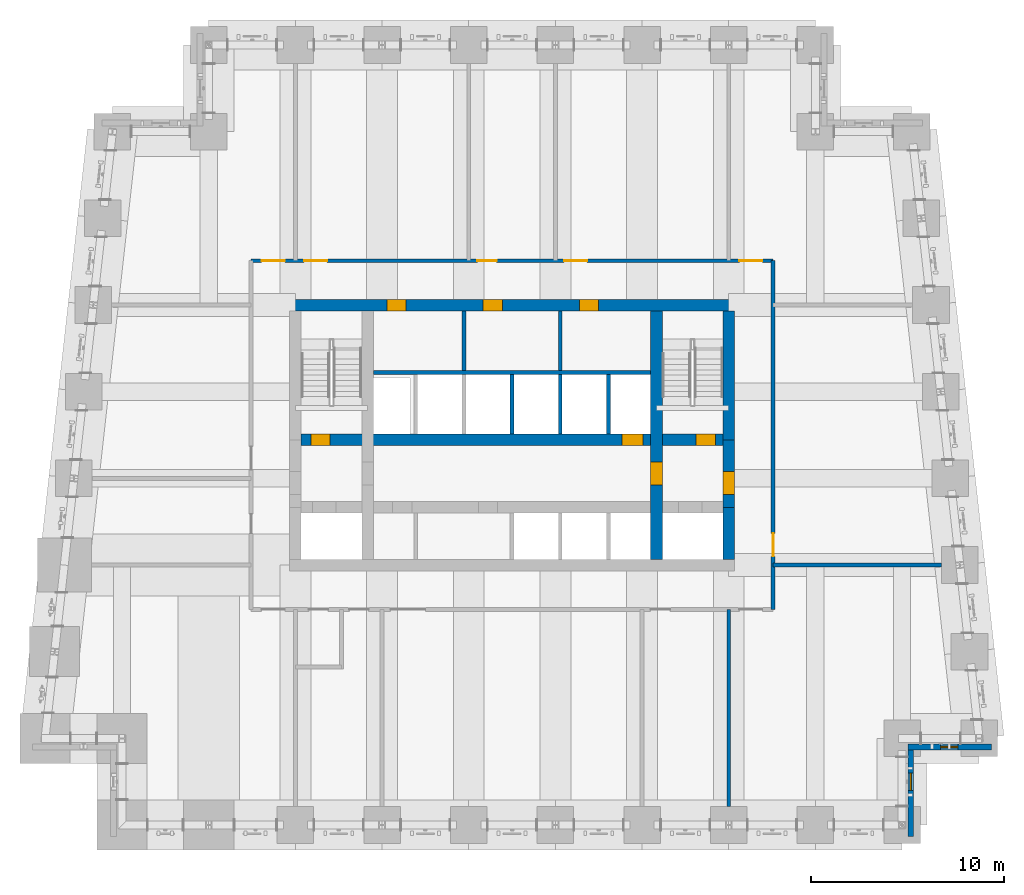
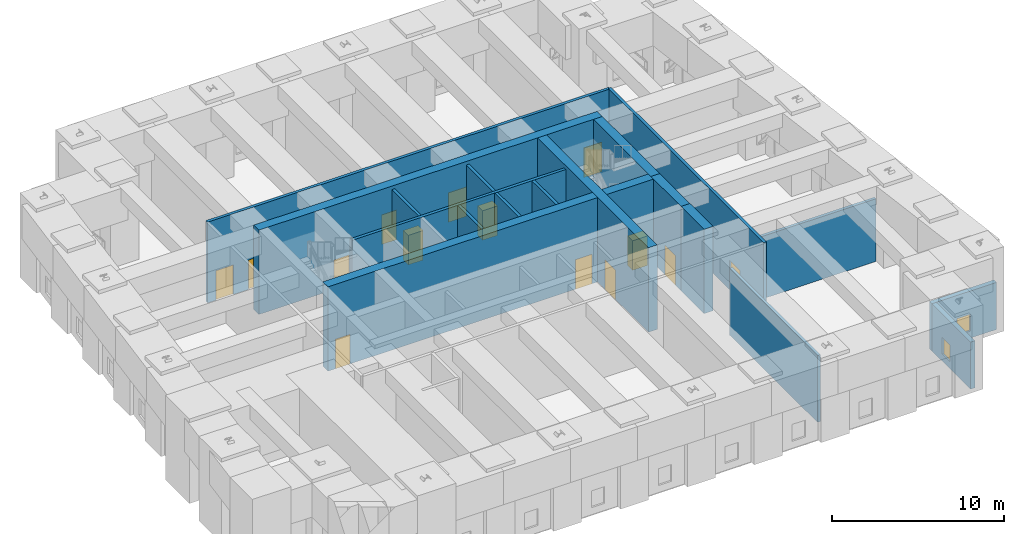
# One storey, part 4 of 17: 18 walls, 14 doors, 2 windows, 16 openings.
"""IFC4 building model written with IfcOpenShell, lengths in metres."""

from ifc_helpers import new_model, si_unit, direction, frame, frame_2d, origin, place, context, subcontext, project, spatial, rectangle, extrude, material, layer, layer_set, type_object, element, fill, save


model = new_model("IFC4")

# Units and contexts
model_context = context("Model", 3, precision=1e-05, world=origin(), true_north=direction((0.0, 1.0)))
body_context = subcontext(model_context, "Body", "Model", "MODEL_VIEW")
ifc_project = project(units=[si_unit("LENGTHUNIT", "METRE"), si_unit("AREAUNIT", "SQUARE_METRE"), si_unit("VOLUMEUNIT", "CUBIC_METRE"), si_unit("PLANEANGLEUNIT", "RADIAN"), si_unit("MASSUNIT", "GRAM", prefix="KILO")], contexts=[model_context])

# Site, building, storey
site_placement = place(None, origin())
site = spatial("IfcSite", under=ifc_project, at=site_placement, CompositionType="ELEMENT")
building_placement = place(site_placement, origin())
building = spatial("IfcBuilding", under=site, at=building_placement, Name="Kilele Tower Hotel", CompositionType="ELEMENT")
storey_placement = place(building_placement, frame((0.0, 0.0, 151.89990234375)))
storey = spatial("IfcBuildingStorey", under=building, at=storey_placement, Name="L39", CompositionType="ELEMENT", Elevation=151.89990234375)

# Wall, openings, doors
ifc_material_1 = material(Name="Concrete C60/75", Category="concrete")
ifc_layer_1 = layer(ifc_material_1, 0.60009765625)
ifc_layer_set_1 = layer_set([ifc_layer_1], Name="Concrete C60/75")
wall_type_1 = type_object("IfcWallType", Name="Core wall 600 C60/75", PredefinedType="SHEAR", material=ifc_layer_set_1)
wall_1_placement = place(storey_placement, frame((36.300048828125, 27.0, 0.0), z_axis=(0.0, 0.0, 1.0), x_axis=(-1.0, 0.0, 0.0)))
wall_1 = element("IfcWall", 1, at=wall_1_placement, inside=storey, type_object=wall_type_1, Name="Core wall N L39", PredefinedType="SHEAR", context=body_context, shape_type="SweptSolid", body=[
    extrude(rectangle(XDim=23.10009765625, YDim=0.60009765625, at=frame_2d((11.550048828125, 0.0))), origin(), (0.0, 0.0, 1.0), 6.0),
])
opening_1_placement = place(wall_1_placement, frame((17.050048828125, 0.0, 0.0)))
opening_1 = element("IfcOpeningElement", 2, at=opening_1_placement, cuts=wall_1, Name="Opening D6", PredefinedType="OPENING", context=body_context, shape_type="SweptSolid", body=[
    extrude(rectangle(XDim=1.0, YDim=2.10009765625, at=frame_2d((0.5, 1.050048828125))), frame((0.0, 0.31005859375, 0.0), z_axis=(0.0, -1.0, 0.0), x_axis=(1.0, 0.0, 0.0)), (0.0, 0.0, 1.0), 0.6201171875),
])
opening_2_placement = place(wall_1_placement, frame((12.050048828125, 0.0, 0.0)))
opening_2 = element("IfcOpeningElement", 3, at=opening_2_placement, cuts=wall_1, Name="Opening D6", PredefinedType="OPENING", context=body_context, shape_type="SweptSolid", body=[
    extrude(rectangle(XDim=1.0, YDim=2.10009765625, at=frame_2d((0.5, 1.050048828125))), frame((0.0, 0.31005859375, 0.0), z_axis=(0.0, -1.0, 0.0), x_axis=(1.0, 0.0, 0.0)), (0.0, 0.0, 1.0), 0.6201171875),
])
opening_3_placement = place(wall_1_placement, frame((7.050048828125, 0.0, 0.0)))
opening_3 = element("IfcOpeningElement", 4, at=opening_3_placement, cuts=wall_1, Name="Opening D6", PredefinedType="OPENING", context=body_context, shape_type="SweptSolid", body=[
    extrude(rectangle(XDim=1.0, YDim=2.10009765625, at=frame_2d((0.5, 1.050048828125))), frame((0.0, 0.31005859375, 0.0), z_axis=(0.0, -1.0, 0.0), x_axis=(1.0, 0.0, 0.0)), (0.0, 0.0, 1.0), 0.6201171875),
])
ifc_material_2 = material(Name="Timber door leaf in hardwood frame", Category="wood")
door_type_1 = type_object("IfcDoorType", Name="Riser door 1000", OperationType="SINGLE_SWING_LEFT", PredefinedType="DOOR", material=ifc_material_2)
door_1_placement = place(opening_1_placement, origin())
door_1 = element("IfcDoor", 5, at=door_1_placement, inside=storey, type_object=door_type_1, Name="Service riser door L39", OperationType="SINGLE_SWING_RIGHT", OverallHeight=2.10009765625, OverallWidth=1.0, PredefinedType="DOOR", context=body_context, shape_type="SweptSolid", body=[
    extrude(rectangle(XDim=1.0, YDim=2.10009765625, at=frame_2d((0.5, 1.050048828125))), frame((0.0, 0.2998046875, 0.0), z_axis=(0.0, -1.0, 0.0), x_axis=(1.0, 0.0, 0.0)), (0.0, 0.0, 1.0), 0.599609375),
])
fill(opening_1, door_1)
door_2_placement = place(opening_2_placement, origin())
door_2 = element("IfcDoor", 6, at=door_2_placement, inside=storey, type_object=door_type_1, Name="Linen store door L39", OperationType="SINGLE_SWING_RIGHT", OverallHeight=2.10009765625, OverallWidth=1.0, PredefinedType="DOOR", context=body_context, shape_type="SweptSolid", body=[
    extrude(rectangle(XDim=1.0, YDim=2.10009765625, at=frame_2d((0.5, 1.050048828125))), frame((0.0, 0.2998046875, 0.0), z_axis=(0.0, -1.0, 0.0), x_axis=(1.0, 0.0, 0.0)), (0.0, 0.0, 1.0), 0.599609375),
])
fill(opening_2, door_2)
door_3_placement = place(opening_3_placement, origin())
door_3 = element("IfcDoor", 7, at=door_3_placement, inside=storey, type_object=door_type_1, Name="Electrical riser door L39", OperationType="SINGLE_SWING_RIGHT", OverallHeight=2.10009765625, OverallWidth=1.0, PredefinedType="DOOR", context=body_context, shape_type="SweptSolid", body=[
    extrude(rectangle(XDim=1.0, YDim=2.10009765625, at=frame_2d((0.5, 1.050048828125))), frame((0.0, 0.2998046875, 0.0), z_axis=(0.0, -1.0, 0.0), x_axis=(1.0, 0.0, 0.0)), (0.0, 0.0, 1.0), 0.599609375),
])
fill(opening_3, door_3)

# Wall, opening, door
wall_2_placement = place(storey_placement, frame((32.25, 13.800048828125, 0.0), z_axis=(0.0, 0.0, 1.0), x_axis=(0.0, 1.0, 0.0)))
wall_2 = element("IfcWall", 8, at=wall_2_placement, inside=storey, type_object=wall_type_1, Name="Core wall IE L39", PredefinedType="SHEAR", context=body_context, shape_type="SweptSolid", body=[
    extrude(rectangle(XDim=12.89990234375, YDim=0.60009765625, at=frame_2d((6.449951171875, 0.0))), origin(), (0.0, 0.0, 1.0), 6.0),
])
opening_4_placement = place(wall_2_placement, frame((5.050048828125, 0.0, 0.0), z_axis=(0.0, 0.0, 1.0), x_axis=(-1.0, 0.0, 0.0)))
opening_4 = element("IfcOpeningElement", 9, at=opening_4_placement, cuts=wall_2, Name="Opening D4", PredefinedType="OPENING", context=body_context, shape_type="SweptSolid", body=[
    extrude(rectangle(XDim=1.199951171875, YDim=2.10009765625, at=frame_2d((0.60009765625, 1.050048828125))), frame((0.0, 0.31005859375, 0.0), z_axis=(0.0, -1.0, 0.0), x_axis=(1.0, 0.0, 0.0)), (0.0, 0.0, 1.0), 0.6201171875),
])
ifc_material_3 = material(Name="Timber door leaf in hardwood frame", Category="wood")
door_type_2 = type_object("IfcDoorType", Name="Firefighting lobby door 1200", OperationType="SINGLE_SWING_LEFT", PredefinedType="DOOR", material=ifc_material_3)
door_4_placement = place(opening_4_placement, origin())
door_4 = element("IfcDoor", 10, at=door_4_placement, inside=storey, type_object=door_type_2, Name="Lobby door L39", OperationType="SINGLE_SWING_RIGHT", OverallHeight=2.10009765625, OverallWidth=1.199951171875, PredefinedType="DOOR", context=body_context, shape_type="SweptSolid", body=[
    extrude(rectangle(XDim=1.199951171875, YDim=2.10009765625, at=frame_2d((0.60009765625, 1.050048828125))), frame((0.0, 0.2998046875, 0.0), z_axis=(0.0, -1.0, 0.0), x_axis=(1.0, 0.0, 0.0)), (0.0, 0.0, 1.0), 0.599609375),
])
fill(opening_4, door_4)

# Wall, openings, doors
wall_3_placement = place(storey_placement, frame((13.800048828125, 20.0, 0.0), z_axis=(0.0, 0.0, 1.0), x_axis=(1.0, 0.0, 0.0)))
wall_3 = element("IfcWall", 11, at=wall_3_placement, inside=storey, type_object=wall_type_1, Name="Core wall LN L39", PredefinedType="SHEAR", context=body_context, shape_type="SweptSolid", body=[
    extrude(rectangle(XDim=21.89990234375, YDim=0.60009765625, at=frame_2d((10.949951171875, 0.0))), origin(), (0.0, 0.0, 1.0), 6.0),
])
opening_5_placement = place(wall_3_placement, frame((0.5, 0.0, 0.0)))
opening_5 = element("IfcOpeningElement", 12, at=opening_5_placement, cuts=wall_3, Name="Opening D5", PredefinedType="OPENING", context=body_context, shape_type="SweptSolid", body=[
    extrude(rectangle(XDim=1.0, YDim=2.10009765625, at=frame_2d((0.5, 1.050048828125))), frame((0.0, 0.31005859375, 0.0), z_axis=(0.0, -1.0, 0.0), x_axis=(1.0, 0.0, 0.0)), (0.0, 0.0, 1.0), 0.6201171875),
])
opening_6_placement = place(wall_3_placement, frame((20.5, 0.0, 0.0)))
opening_6 = element("IfcOpeningElement", 13, at=opening_6_placement, cuts=wall_3, Name="Opening D5", PredefinedType="OPENING", context=body_context, shape_type="SweptSolid", body=[
    extrude(rectangle(XDim=1.0, YDim=2.10009765625, at=frame_2d((0.5, 1.050048828125))), frame((0.0, 0.31005859375, 0.0), z_axis=(0.0, -1.0, 0.0), x_axis=(1.0, 0.0, 0.0)), (0.0, 0.0, 1.0), 0.6201171875),
])
opening_7_placement = place(wall_3_placement, frame((16.64990234375, 0.0, 0.0)))
opening_7 = element("IfcOpeningElement", 14, at=opening_7_placement, cuts=wall_3, Name="Opening LD1", PredefinedType="OPENING", context=body_context, shape_type="SweptSolid", body=[
    extrude(rectangle(XDim=1.10009765625, YDim=2.10009765625, at=frame_2d((0.550048828125, 1.050048828125))), frame((0.0, 0.31005859375, 0.0), z_axis=(0.0, -1.0, 0.0), x_axis=(1.0, 0.0, 0.0)), (0.0, 0.0, 1.0), 0.6201171875),
])
ifc_material_4 = material(Name="Steel lift landing door", Category="steel")
door_type_3 = type_object("IfcDoorType", Name="Lift landing door 1100", OperationType="SLIDING_TO_LEFT", PredefinedType="DOOR", material=ifc_material_4)
door_5_placement = place(opening_7_placement, origin())
door_5 = element("IfcDoor", 15, at=door_5_placement, inside=storey, type_object=door_type_3, Name="Landing door G1 L39", OperationType="SLIDING_TO_LEFT", OverallHeight=2.10009765625, OverallWidth=1.10009765625, PredefinedType="DOOR", context=body_context, shape_type="SweptSolid", body=[
    extrude(rectangle(XDim=1.10009765625, YDim=2.10009765625, at=frame_2d((0.550048828125, 1.050048828125))), frame((0.0, 0.2998046875, 0.0), z_axis=(0.0, -1.0, 0.0), x_axis=(1.0, 0.0, 0.0)), (0.0, 0.0, 1.0), 0.599609375),
])
fill(opening_7, door_5)
ifc_material_5 = material(Name="Timber door leaf in hardwood frame", Category="wood")
door_type_4 = type_object("IfcDoorType", Name="Stair door 1000", OperationType="SINGLE_SWING_LEFT", PredefinedType="DOOR", material=ifc_material_5)
door_6_placement = place(opening_5_placement, origin())
door_6 = element("IfcDoor", 16, at=door_6_placement, inside=storey, type_object=door_type_4, Name="Stair 1 door L39", OperationType="SINGLE_SWING_LEFT", OverallHeight=2.10009765625, OverallWidth=1.0, PredefinedType="DOOR", context=body_context, shape_type="SweptSolid", body=[
    extrude(rectangle(XDim=1.0, YDim=2.10009765625, at=frame_2d((0.5, 1.050048828125))), frame((0.0, 0.2998046875, 0.0), z_axis=(0.0, -1.0, 0.0), x_axis=(1.0, 0.0, 0.0)), (0.0, 0.0, 1.0), 0.599609375),
])
fill(opening_5, door_6)
door_7_placement = place(opening_6_placement, origin())
door_7 = element("IfcDoor", 17, at=door_7_placement, inside=storey, type_object=door_type_4, Name="Stair 2 door L39", OperationType="SINGLE_SWING_RIGHT", OverallHeight=2.10009765625, OverallWidth=1.0, PredefinedType="DOOR", context=body_context, shape_type="SweptSolid", body=[
    extrude(rectangle(XDim=1.0, YDim=2.10009765625, at=frame_2d((0.5, 1.050048828125))), frame((0.0, 0.2998046875, 0.0), z_axis=(0.0, -1.0, 0.0), x_axis=(1.0, 0.0, 0.0)), (0.0, 0.0, 1.0), 0.599609375),
])
fill(opening_6, door_7)

# Wall
wall_4_placement = place(storey_placement, frame((36.0, 13.800048828125, 0.0), z_axis=(0.0, 0.0, 1.0), x_axis=(0.0, 1.0, 0.0)))
element("IfcWall", 18, at=wall_4_placement, inside=storey, type_object=wall_type_1, Name="Core wall E1 L39", PredefinedType="SHEAR", context=body_context, shape_type="SweptSolid", body=[
    extrude(rectangle(XDim=2.699951171875, YDim=0.60009765625, at=frame_2d((1.35009765625, 0.0))), origin(), (0.0, 0.0, 1.0), 6.0),
])

# Wall, opening, door
wall_5_placement = place(storey_placement, frame((36.0, 16.5, 0.0), z_axis=(0.0, 0.0, 1.0), x_axis=(0.0, 1.0, 0.0)))
wall_5 = element("IfcWall", 19, at=wall_5_placement, inside=storey, type_object=wall_type_1, Name="Core wall E2 L39", PredefinedType="SHEAR", context=body_context, shape_type="SweptSolid", body=[
    extrude(rectangle(XDim=3.5, YDim=0.60009765625, at=frame_2d((1.75, 0.0))), origin(), (0.0, 0.0, 1.0), 6.0),
])
opening_8_placement = place(wall_5_placement, frame((0.64990234375, 0.0, 0.0)))
opening_8 = element("IfcOpeningElement", 20, at=opening_8_placement, cuts=wall_5, Name="Opening D4", PredefinedType="OPENING", context=body_context, shape_type="SweptSolid", body=[
    extrude(rectangle(XDim=1.199951171875, YDim=2.10009765625, at=frame_2d((0.60009765625, 1.050048828125))), frame((0.0, 0.31005859375, 0.0), z_axis=(0.0, -1.0, 0.0), x_axis=(1.0, 0.0, 0.0)), (0.0, 0.0, 1.0), 0.6201171875),
])
door_8_placement = place(opening_8_placement, origin())
door_8 = element("IfcDoor", 21, at=door_8_placement, inside=storey, type_object=door_type_2, Name="Lobby door L39", OperationType="SINGLE_SWING_LEFT", OverallHeight=2.10009765625, OverallWidth=1.199951171875, PredefinedType="DOOR", context=body_context, shape_type="SweptSolid", body=[
    extrude(rectangle(XDim=1.199951171875, YDim=2.10009765625, at=frame_2d((0.60009765625, 1.050048828125))), frame((0.0, 0.2998046875, 0.0), z_axis=(0.0, -1.0, 0.0), x_axis=(1.0, 0.0, 0.0)), (0.0, 0.0, 1.0), 0.599609375),
])
fill(opening_8, door_8)

# Wall
wall_6_placement = place(storey_placement, frame((36.0, 20.0, 0.0), z_axis=(0.0, 0.0, 1.0), x_axis=(0.0, 1.0, 0.0)))
element("IfcWall", 22, at=wall_6_placement, inside=storey, type_object=wall_type_1, Name="Core wall E3 L39", PredefinedType="SHEAR", context=body_context, shape_type="SweptSolid", body=[
    extrude(rectangle(XDim=6.699951171875, YDim=0.60009765625, at=frame_2d((3.35009765625, 0.0))), origin(), (0.0, 0.0, 1.0), 6.0),
])

# Wall, opening, door
ifc_material_6 = material(Name="Blockwork, plastered both sides", Category="masonry")
ifc_layer_2 = layer(ifc_material_6, 0.199951171875)
ifc_layer_set_2 = layer_set([ifc_layer_2], Name="Blockwork, plastered both sides")
wall_type_2 = type_object("IfcWallType", Name="Corridor wall 200", PredefinedType="PARTITIONING", material=ifc_layer_set_2)
wall_7_placement = place(storey_placement, frame((38.300048828125, 11.199951171875, 0.0), z_axis=(0.0, 0.0, 1.0), x_axis=(0.0, 1.0, 0.0)))
wall_7 = element("IfcWall", 23, at=wall_7_placement, inside=storey, type_object=wall_type_2, Name="Corridor wall 200 L39", PredefinedType="PARTITIONING", context=body_context, shape_type="SweptSolid", body=[
    extrude(rectangle(XDim=18.10009765625, YDim=0.199951171875, at=frame_2d((9.050048828125, 0.0))), origin(), (0.0, 0.0, 1.0), 5.75),
])
opening_9_placement = place(wall_7_placement, frame((3.949951171875, 0.0, 0.0), z_axis=(0.0, 0.0, 1.0), x_axis=(-1.0, 0.0, 0.0)))
opening_9 = element("IfcOpeningElement", 24, at=opening_9_placement, cuts=wall_7, Name="Opening D7A", PredefinedType="OPENING", context=body_context, shape_type="SweptSolid", body=[
    extrude(rectangle(XDim=1.199951171875, YDim=2.10009765625, at=frame_2d((0.60009765625, 1.050048828125))), frame((0.0, 0.10986328125, 0.0), z_axis=(0.0, -1.0, 0.0), x_axis=(1.0, 0.0, 0.0)), (0.0, 0.0, 1.0), 0.219970703125),
])
ifc_material_7 = material(Name="Timber door leaf in hardwood frame", Category="wood")
door_type_5 = type_object("IfcDoorType", Name="Plant room door 1200", OperationType="SINGLE_SWING_LEFT", PredefinedType="DOOR", material=ifc_material_7)
door_9_placement = place(opening_9_placement, origin())
door_9 = element("IfcDoor", 25, at=door_9_placement, inside=storey, type_object=door_type_5, Name="Door Mid-zone air handling plant room 3905", OperationType="SINGLE_SWING_RIGHT", OverallHeight=2.10009765625, OverallWidth=1.199951171875, PredefinedType="DOOR", context=body_context, shape_type="SweptSolid", body=[
    extrude(rectangle(XDim=1.199951171875, YDim=2.10009765625, at=frame_2d((0.60009765625, 1.050048828125))), frame((0.0, 0.02490234375, 0.0), z_axis=(0.0, -1.0, 0.0), x_axis=(1.0, 0.0, 0.0)), (0.0, 0.0, 1.0), 0.050048828125),
])
fill(opening_9, door_9)

# Wall, openings, doors
wall_8_placement = place(storey_placement, frame((11.199951171875, 29.300048828125, 0.0), z_axis=(0.0, 0.0, 1.0), x_axis=(1.0, 0.0, 0.0)))
wall_8 = element("IfcWall", 26, at=wall_8_placement, inside=storey, type_object=wall_type_2, Name="Corridor wall 200 L39", PredefinedType="PARTITIONING", context=body_context, shape_type="SweptSolid", body=[
    extrude(rectangle(XDim=27.10009765625, YDim=0.199951171875, at=frame_2d((13.550048828125, 0.0))), origin(), (0.0, 0.0, 1.0), 5.75),
])
opening_10_placement = place(wall_8_placement, frame((2.75, 0.0, 0.0)))
opening_10 = element("IfcOpeningElement", 27, at=opening_10_placement, cuts=wall_8, Name="Opening D7A", PredefinedType="OPENING", context=body_context, shape_type="SweptSolid", body=[
    extrude(rectangle(XDim=1.199951171875, YDim=2.10009765625, at=frame_2d((0.60009765625, 1.050048828125))), frame((0.0, 0.10986328125, 0.0), z_axis=(0.0, -1.0, 0.0), x_axis=(1.0, 0.0, 0.0)), (0.0, 0.0, 1.0), 0.219970703125),
])
opening_11_placement = place(wall_8_placement, frame((11.75, 0.0, 0.0)))
opening_11 = element("IfcOpeningElement", 28, at=opening_11_placement, cuts=wall_8, Name="Opening D7", PredefinedType="OPENING", context=body_context, shape_type="SweptSolid", body=[
    extrude(rectangle(XDim=1.0, YDim=2.10009765625, at=frame_2d((0.5, 1.050048828125))), frame((0.0, 0.10986328125, 0.0), z_axis=(0.0, -1.0, 0.0), x_axis=(1.0, 0.0, 0.0)), (0.0, 0.0, 1.0), 0.219970703125),
])
opening_12_placement = place(wall_8_placement, frame((16.25, 0.0, 0.0)))
opening_12 = element("IfcOpeningElement", 29, at=opening_12_placement, cuts=wall_8, Name="Opening D7A", PredefinedType="OPENING", context=body_context, shape_type="SweptSolid", body=[
    extrude(rectangle(XDim=1.199951171875, YDim=2.10009765625, at=frame_2d((0.60009765625, 1.050048828125))), frame((0.0, 0.10986328125, 0.0), z_axis=(0.0, -1.0, 0.0), x_axis=(1.0, 0.0, 0.0)), (0.0, 0.0, 1.0), 0.219970703125),
])
opening_13_placement = place(wall_8_placement, frame((0.550048828125, 0.0, 0.0)))
opening_13 = element("IfcOpeningElement", 30, at=opening_13_placement, cuts=wall_8, Name="Opening D7A", PredefinedType="OPENING", context=body_context, shape_type="SweptSolid", body=[
    extrude(rectangle(XDim=1.199951171875, YDim=2.10009765625, at=frame_2d((0.60009765625, 1.050048828125))), frame((0.0, 0.10986328125, 0.0), z_axis=(0.0, -1.0, 0.0), x_axis=(1.0, 0.0, 0.0)), (0.0, 0.0, 1.0), 0.219970703125),
])
opening_14_placement = place(wall_8_placement, frame((25.35009765625, 0.0, 0.0)))
opening_14 = element("IfcOpeningElement", 31, at=opening_14_placement, cuts=wall_8, Name="Opening D7A", PredefinedType="OPENING", context=body_context, shape_type="SweptSolid", body=[
    extrude(rectangle(XDim=1.199951171875, YDim=2.10009765625, at=frame_2d((0.60009765625, 1.050048828125))), frame((0.0, 0.10986328125, 0.0), z_axis=(0.0, -1.0, 0.0), x_axis=(1.0, 0.0, 0.0)), (0.0, 0.0, 1.0), 0.219970703125),
])
ifc_material_8 = material(Name="Timber door leaf in hardwood frame", Category="wood")
door_type_6 = type_object("IfcDoorType", Name="Plant room door 1000", OperationType="SINGLE_SWING_LEFT", PredefinedType="DOOR", material=ifc_material_8)
door_10_placement = place(opening_11_placement, origin())
door_10 = element("IfcDoor", 32, at=door_10_placement, inside=storey, type_object=door_type_6, Name="Door Mid-zone water booster pump room 3907", OperationType="SINGLE_SWING_LEFT", OverallHeight=2.10009765625, OverallWidth=1.0, PredefinedType="DOOR", context=body_context, shape_type="SweptSolid", body=[
    extrude(rectangle(XDim=1.0, YDim=2.10009765625, at=frame_2d((0.5, 1.050048828125))), frame((0.0, 0.02490234375, 0.0), z_axis=(0.0, -1.0, 0.0), x_axis=(1.0, 0.0, 0.0)), (0.0, 0.0, 1.0), 0.050048828125),
])
fill(opening_11, door_10)
door_11_placement = place(opening_10_placement, origin())
door_11 = element("IfcDoor", 33, at=door_11_placement, inside=storey, type_object=door_type_5, Name="Door Mid-zone chilled water heat exchanger room 3906", OperationType="SINGLE_SWING_LEFT", OverallHeight=2.10009765625, OverallWidth=1.199951171875, PredefinedType="DOOR", context=body_context, shape_type="SweptSolid", body=[
    extrude(rectangle(XDim=1.199951171875, YDim=2.10009765625, at=frame_2d((0.60009765625, 1.050048828125))), frame((0.0, 0.02490234375, 0.0), z_axis=(0.0, -1.0, 0.0), x_axis=(1.0, 0.0, 0.0)), (0.0, 0.0, 1.0), 0.050048828125),
])
fill(opening_10, door_11)
door_12_placement = place(opening_12_placement, origin())
door_12 = element("IfcDoor", 34, at=door_12_placement, inside=storey, type_object=door_type_5, Name="Door Mid-zone water tank room 3908", OperationType="SINGLE_SWING_LEFT", OverallHeight=2.10009765625, OverallWidth=1.199951171875, PredefinedType="DOOR", context=body_context, shape_type="SweptSolid", body=[
    extrude(rectangle(XDim=1.199951171875, YDim=2.10009765625, at=frame_2d((0.60009765625, 1.050048828125))), frame((0.0, 0.02490234375, 0.0), z_axis=(0.0, -1.0, 0.0), x_axis=(1.0, 0.0, 0.0)), (0.0, 0.0, 1.0), 0.050048828125),
])
fill(opening_12, door_12)
door_13_placement = place(opening_13_placement, origin())
door_13 = element("IfcDoor", 35, at=door_13_placement, inside=storey, type_object=door_type_5, Name="Door Mid-zone smoke extract fan room 3913", OperationType="SINGLE_SWING_RIGHT", OverallHeight=2.10009765625, OverallWidth=1.199951171875, PredefinedType="DOOR", context=body_context, shape_type="SweptSolid", body=[
    extrude(rectangle(XDim=1.199951171875, YDim=2.10009765625, at=frame_2d((0.60009765625, 1.050048828125))), frame((0.0, 0.02490234375, 0.0), z_axis=(0.0, -1.0, 0.0), x_axis=(1.0, 0.0, 0.0)), (0.0, 0.0, 1.0), 0.050048828125),
])
fill(opening_13, door_13)
door_14_placement = place(opening_14_placement, origin())
door_14 = element("IfcDoor", 36, at=door_14_placement, inside=storey, type_object=door_type_5, Name="Door Mid-zone hot water calorifier room 3914", OperationType="SINGLE_SWING_LEFT", OverallHeight=2.10009765625, OverallWidth=1.199951171875, PredefinedType="DOOR", context=body_context, shape_type="SweptSolid", body=[
    extrude(rectangle(XDim=1.199951171875, YDim=2.10009765625, at=frame_2d((0.60009765625, 1.050048828125))), frame((0.0, 0.02490234375, 0.0), z_axis=(0.0, -1.0, 0.0), x_axis=(1.0, 0.0, 0.0)), (0.0, 0.0, 1.0), 0.050048828125),
])
fill(opening_14, door_14)

# Walls
ifc_material_9 = material(Name="Blockwork, plastered both sides", Category="masonry")
ifc_layer_3 = layer(ifc_material_9, 0.199951171875)
ifc_layer_set_3 = layer_set([ifc_layer_3], Name="Blockwork, plastered both sides")
wall_type_3 = type_object("IfcWallType", Name="Partition wall 200", PredefinedType="PARTITIONING", material=ifc_layer_set_3)
wall_9_placement = place(storey_placement, frame((36.0, 11.199951171875, 0.0), z_axis=(0.0, 0.0, 1.0), x_axis=(0.0, -1.0, 0.0)))
element("IfcWall", 37, at=wall_9_placement, inside=storey, type_object=wall_type_3, Name="Partition wall 200 L39", PredefinedType="PARTITIONING", context=body_context, shape_type="SweptSolid", body=[
    extrude(rectangle(XDim=10.25, YDim=0.199951171875, at=frame_2d((5.125, 0.0))), origin(), (0.0, 0.0, 1.0), 4.75),
])
wall_10_placement = place(storey_placement, frame((38.300048828125, 13.5, 0.0), z_axis=(0.0, 0.0, 1.0), x_axis=(1.0, 0.0, 0.0)))
element("IfcWall", 38, at=wall_10_placement, inside=storey, type_object=wall_type_3, Name="Partition wall 200 L39", PredefinedType="PARTITIONING", context=body_context, shape_type="SweptSolid", body=[
    extrude(rectangle(XDim=8.739013671875, YDim=0.199951171875, at=frame_2d((4.36962890625, 0.0))), origin(), (0.0, 0.0, 1.0), 4.4501953125),
])

# Wall, opening, window
ifc_material_10 = material(Name="Concrete C40/50 precast", Category="concrete")
ifc_layer_4 = layer(ifc_material_10, 0.260009765625, Name="Precast backing", Category="LoadBearing")
ifc_material_11 = material(Name="Reconstituted stone finish", Category="masonry")
ifc_layer_5 = layer(ifc_material_11, 0.0400390625, Name="Face mix", Category="Finish")
ifc_layer_set_4 = layer_set([ifc_layer_4, ifc_layer_5], Name="Precast concrete C40/50, reconstituted stone finish")
wall_type_4 = type_object("IfcWallType", Name="Precast stone facade wall 300", PredefinedType="STANDARD", material=ifc_layer_set_4)
wall_11_placement = place(storey_placement, frame((45.449951171875, -0.60009765625, 0.0), z_axis=(0.0, 0.0, 1.0), x_axis=(0.0, 1.0, 0.0)))
wall_11 = element("IfcWall", 39, at=wall_11_placement, inside=storey, type_object=wall_type_4, Name="Facade wall L39 edge 4", PredefinedType="STANDARD", context=body_context, shape_type="SweptSolid", body=[
    extrude(rectangle(XDim=4.800048828125, YDim=0.300048828125, at=frame_2d((2.39990234375, 0.0))), origin(), (0.0, 0.0, 1.0), 3.35009765625),
])
opening_15_placement = place(wall_11_placement, frame((2.39990234375, 0.0, 0.5)))
opening_15 = element("IfcOpeningElement", 40, at=opening_15_placement, cuts=wall_11, Name="Opening LV1", PredefinedType="OPENING", context=body_context, shape_type="SweptSolid", body=[
    extrude(rectangle(XDim=0.89990234375, YDim=1.199951171875, at=frame_2d((0.449951171875, 0.60009765625))), frame((0.0, 0.159912109375, 0.0), z_axis=(0.0, -1.0, 0.0), x_axis=(1.0, 0.0, 0.0)), (0.0, 0.0, 1.0), 0.320068359375),
])
ifc_material_12 = material(Name="Aluminium weather louvre with insect mesh", Category="aluminium")
window_type = type_object("IfcWindowType", Name="Ventilation louvre 900 x 1200", PartitioningType="SINGLE_PANEL", PredefinedType="USERDEFINED", material=ifc_material_12)
window_1_placement = place(opening_15_placement, origin())
window_1 = element("IfcWindow", 41, at=window_1_placement, inside=storey, type_object=window_type, Name="Louvre L39", ObjectType="LOUVRE", OverallHeight=1.199951171875, OverallWidth=0.89990234375, PartitioningType="SINGLE_PANEL", PredefinedType="USERDEFINED", context=body_context, shape_type="SweptSolid", body=[
    extrude(rectangle(XDim=0.89990234375, YDim=1.199951171875, at=frame_2d((0.449951171875, 0.60009765625))), frame((0.0, 0.030029296875, 0.0), z_axis=(0.0, -1.0, 0.0), x_axis=(1.0, 0.0, 0.0)), (0.0, 0.0, 1.0), 0.06005859375),
])
fill(opening_15, window_1)

wall_12_placement = place(storey_placement, frame((45.300048828125, 4.050048828125, 0.0), z_axis=(0.0, 0.0, 1.0), x_axis=(1.0, 0.0, 0.0)))
wall_12 = element("IfcWall", 42, at=wall_12_placement, inside=storey, type_object=wall_type_4, Name="Facade wall L39 edge 5", PredefinedType="STANDARD", context=body_context, shape_type="SweptSolid", body=[
    extrude(rectangle(XDim=4.352783203125, YDim=0.300048828125, at=frame_2d((2.17626953125, 0.0))), origin(), (0.0, 0.0, 1.0), 3.35009765625),
])
opening_16_placement = place(wall_12_placement, frame((1.699951171875, 0.0, 0.5)))
opening_16 = element("IfcOpeningElement", 43, at=opening_16_placement, cuts=wall_12, Name="Opening LV1", PredefinedType="OPENING", context=body_context, shape_type="SweptSolid", body=[
    extrude(rectangle(XDim=0.89990234375, YDim=1.199951171875, at=frame_2d((0.449951171875, 0.60009765625))), frame((0.0, 0.159912109375, 0.0), z_axis=(0.0, -1.0, 0.0), x_axis=(1.0, 0.0, 0.0)), (0.0, 0.0, 1.0), 0.320068359375),
])
window_2_placement = place(opening_16_placement, origin())
window_2 = element("IfcWindow", 44, at=window_2_placement, inside=storey, type_object=window_type, Name="Louvre L39", ObjectType="LOUVRE", OverallHeight=1.199951171875, OverallWidth=0.89990234375, PartitioningType="SINGLE_PANEL", PredefinedType="USERDEFINED", context=body_context, shape_type="SweptSolid", body=[
    extrude(rectangle(XDim=0.89990234375, YDim=1.199951171875, at=frame_2d((0.449951171875, 0.60009765625))), frame((0.0, 0.030029296875, 0.0), z_axis=(0.0, -1.0, 0.0), x_axis=(1.0, 0.0, 0.0)), (0.0, 0.0, 1.0), 0.06005859375),
])
fill(opening_16, window_2)

# Walls
ifc_material_13 = material(Name="Blockwork, fire-rated", Category="masonry")
ifc_layer_6 = layer(ifc_material_13, 0.199951171875)
ifc_layer_set_5 = layer_set([ifc_layer_6], Name="Blockwork, fire-rated")
wall_type_5 = type_object("IfcWallType", Name="Shaft wall 200", PredefinedType="PARTITIONING", material=ifc_layer_set_5)
for number, where, z_axis, x_axis, name in (
    (45, (24.75, 20.300048828125, 0.0), (0.0, 0.0, 1.0), (0.0, 1.0, 0.0), "Shaft wall 200 L39"),
    (46, (27.25, 20.300048828125, 0.0), (0.0, 0.0, 1.0), (0.0, 1.0, 0.0), "Shaft wall 200 L39"),
    (47, (29.75, 20.300048828125, 0.0), (0.0, 0.0, 1.0), (0.0, 1.0, 0.0), "Shaft wall 200 L39"),
):
    element("IfcWall", number, at=place(storey_placement, frame(where, z_axis=z_axis, x_axis=x_axis)), inside=storey, type_object=wall_type_5, Name=name, PredefinedType="PARTITIONING", context=body_context, shape_type="SweptSolid", body=[
        extrude(rectangle(XDim=3.099853515625, YDim=0.199951171875, at=frame_2d((1.5498046875, 0.0))), origin(), (0.0, 0.0, 1.0), 5.75),
    ])
wall_13_placement = place(storey_placement, frame((17.550048828125, 23.5, 0.0), z_axis=(0.0, 0.0, 1.0), x_axis=(1.0, 0.0, 0.0)))
element("IfcWall", 48, at=wall_13_placement, inside=storey, type_object=wall_type_5, Name="Shaft wall 200 L39", PredefinedType="PARTITIONING", context=body_context, shape_type="SweptSolid", body=[
    extrude(rectangle(XDim=14.39990234375, YDim=0.199951171875, at=frame_2d((7.199951171875, 0.0))), origin(), (0.0, 0.0, 1.0), 5.75),
])
for number, where, z_axis, x_axis, name in (
    (49, (22.25, 23.60009765625, 0.0), (0.0, 0.0, 1.0), (0.0, 1.0, 0.0), "Shaft wall 200 L39"),
    (50, (27.25, 23.60009765625, 0.0), (0.0, 0.0, 1.0), (0.0, 1.0, 0.0), "Shaft wall 200 L39"),
):
    element("IfcWall", number, at=place(storey_placement, frame(where, z_axis=z_axis, x_axis=x_axis)), inside=storey, type_object=wall_type_5, Name=name, PredefinedType="PARTITIONING", context=body_context, shape_type="SweptSolid", body=[
        extrude(rectangle(XDim=3.099853515625, YDim=0.199951171875, at=frame_2d((1.5498046875, 0.0))), origin(), (0.0, 0.0, 1.0), 5.75),
    ])

save(model, "model.ifc")
